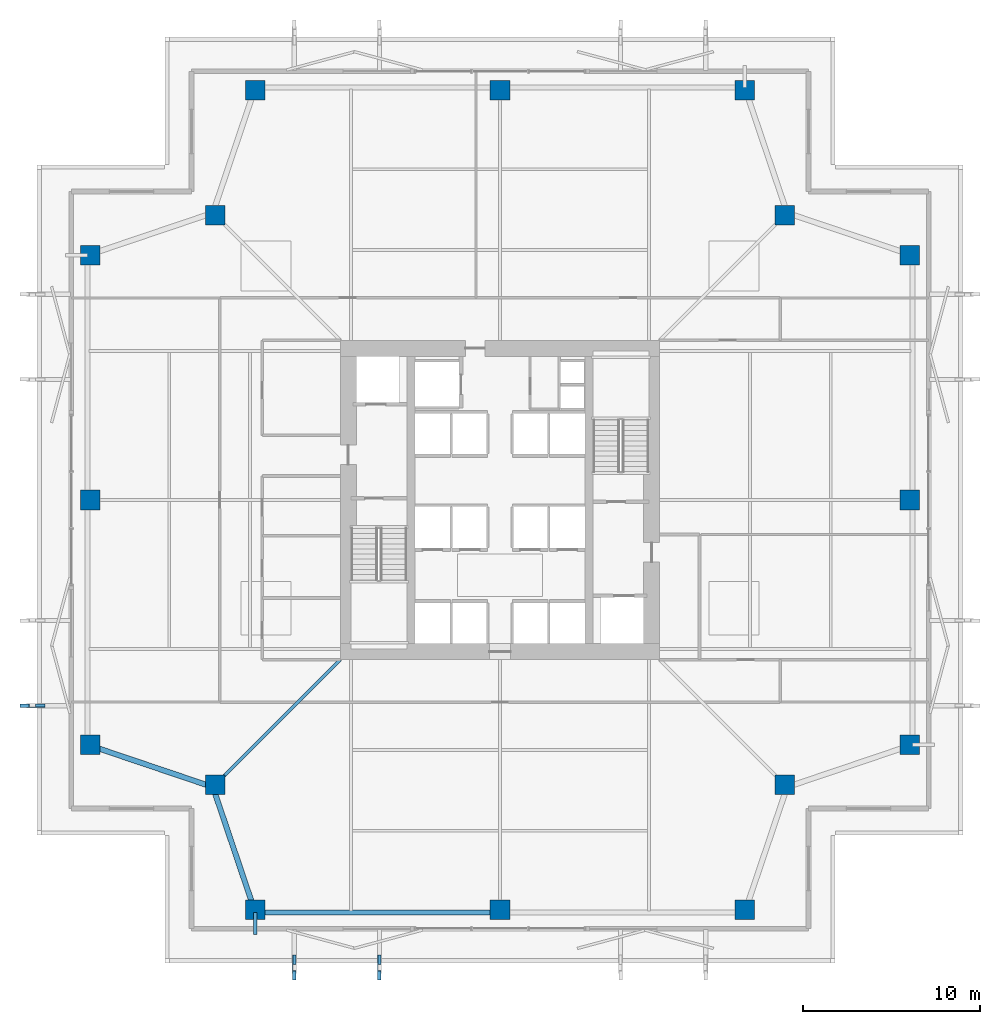
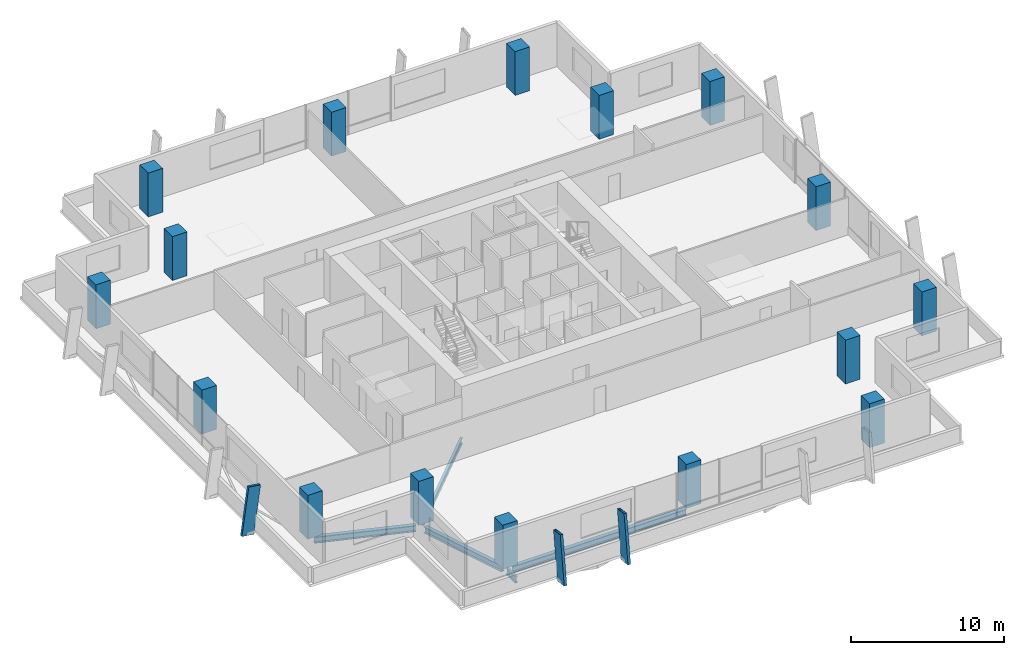
# One storey, part 1 of 16: 16 columns, 5 beams, 3 members.
"""IFC4 building model written with IfcOpenShell, lengths in metres."""

import ifcopenshell
import ifcopenshell.guid

model = None  # the IFC model being written
_history = None  # IfcOwnerHistory: only IFC2X3 demands one
_inside = {}  # id of a spatial element -> (the spatial element, [elements in it])
_under = {}  # id of a project, library or spatial element -> (it, [spatial elements below it])
_declared = {}  # id of a project -> (the project, [libraries it declares])
_typed = {}  # id of a type object -> (the type object, [elements of that type])
_made_of = {}  # id of a material, layer set ... -> (it, [elements and type objects made of it])


def new_model(schema):
    """Start an empty IFC model of exactly this schema.

    Asked for "IFC4X3", IfcOpenShell would pick the latest addendum, in which some entities
    have other attributes; the version numbers below select the first issue.
    IFC2X3 requires an IfcOwnerHistory on every rooted entity: one is made here for all.
    """
    global model, _history
    if schema == "IFC4X3":
        model = ifcopenshell.file(schema_version=(4, 3, 0, 0))
    else:
        model = ifcopenshell.file(schema=schema)
    _inside.clear()
    _under.clear()
    _declared.clear()
    _typed.clear()
    _made_of.clear()
    _history = None
    if model.schema == "IFC2X3":
        org = make("IfcOrganization", Name="unknown")
        user = make(
            "IfcPersonAndOrganization",
            ThePerson=make("IfcPerson", FamilyName="unknown"),
            TheOrganization=org,
        )
        app = make(
            "IfcApplication",
            ApplicationDeveloper=org,
            Version="unknown",
            ApplicationFullName="unknown",
            ApplicationIdentifier="unknown",
        )
        _history = make(
            "IfcOwnerHistory",
            OwningUser=user,
            OwningApplication=app,
            ChangeAction="ADDED",
            CreationDate=0,
        )
    return model


def make(cls, **values):
    """One entity of the class cls with the attributes given. An attribute that is None is left unset."""
    return model.create_entity(
        cls, **{name: value for name, value in values.items() if value is not None}
    )


def rooted(cls, **values):
    """An entity with a GlobalId (a new one), such as an element, a storey or a relation."""
    return make(cls, GlobalId=ifcopenshell.guid.new(), OwnerHistory=_history, **values)


def si_unit(unit_type, name, prefix=None):
    """IfcSIUnit, for example si_unit("LENGTHUNIT", "METRE", prefix="MILLI")."""
    return make("IfcSIUnit", UnitType=unit_type, Prefix=prefix, Name=name)


def assignment(units):
    """IfcUnitAssignment: the units of a project."""
    return None if units is None else make("IfcUnitAssignment", Units=units)


def point(xyz):
    """IfcCartesianPoint."""
    return None if xyz is None else make("IfcCartesianPoint", Coordinates=xyz)


def direction(xyz):
    """IfcDirection."""
    return None if xyz is None else make("IfcDirection", DirectionRatios=xyz)


def frame(location, z_axis=None, x_axis=None):
    """IfcAxis2Placement3D, a coordinate frame: its origin and axes. An axis left out is left unset."""
    return make(
        "IfcAxis2Placement3D",
        Location=point(location),
        Axis=direction(z_axis),
        RefDirection=direction(x_axis),
    )


def frame_2d(location, x_axis=None):
    """IfcAxis2Placement2D, a coordinate frame in the plane: its origin and x axis."""
    return make(
        "IfcAxis2Placement2D", Location=point(location), RefDirection=direction(x_axis)
    )


def origin():
    """The frame at (0, 0, 0) with its axes left unset."""
    return frame((0.0, 0.0, 0.0))


def origin_2d():
    """The frame at (0, 0) in the plane with its x axis left unset."""
    return frame_2d((0.0, 0.0))


def place(relative_to, where):
    """IfcLocalPlacement: puts the frame where relative to a parent placement (None: the world)."""
    return make(
        "IfcLocalPlacement", PlacementRelTo=relative_to, RelativePlacement=where
    )


def context(
    kind, dimensions, precision=None, world=None, true_north=None, identifier=None
):
    """IfcGeometricRepresentationContext, for example the 3D "Model" context."""
    return make(
        "IfcGeometricRepresentationContext",
        ContextIdentifier=identifier,
        ContextType=kind,
        CoordinateSpaceDimension=dimensions,
        Precision=precision,
        WorldCoordinateSystem=world,
        TrueNorth=true_north,
    )


def subcontext(parent, identifier, kind, view, scale=None):
    """IfcGeometricRepresentationSubContext, for example "Body" below "Model"."""
    return make(
        "IfcGeometricRepresentationSubContext",
        ContextIdentifier=identifier,
        ContextType=kind,
        ParentContext=parent,
        TargetScale=scale,
        TargetView=view,
    )


def project(units=None, contexts=None):
    """IfcProject with its units and contexts."""
    return rooted(
        "IfcProject",
        Name="project",
        RepresentationContexts=contexts,
        UnitsInContext=assignment(units),
    )


def spatial(cls, under=None, at=None, **own):
    """A site, building, storey or space (cls), placed at a placement, below another one or the project."""
    s = rooted(cls, ObjectPlacement=at, **own)
    if under is not None:
        _under.setdefault(under.id(), (under, []))[1].append(s)
    return s


def profile(cls, at=None, kind="AREA", **sizes):
    """A parametric profile (cls). Its sizes go by their IFC names, for example OverallWidth=200.0."""
    return make(cls, ProfileType=kind, Position=at, **sizes)


def rectangle(**sizes):
    """IfcRectangleProfileDef."""
    return profile("IfcRectangleProfileDef", **sizes)


def hollow_rectangle(**sizes):
    """IfcRectangleHollowProfileDef."""
    return profile("IfcRectangleHollowProfileDef", **sizes)


def i_section(**sizes):
    """IfcIShapeProfileDef."""
    return profile("IfcIShapeProfileDef", **sizes)


def extrude(swept, where, along, depth):
    """IfcExtrudedAreaSolid: the profile swept, set in the frame where, extruded along a direction by depth."""
    return make(
        "IfcExtrudedAreaSolid",
        SweptArea=swept,
        Position=where,
        ExtrudedDirection=direction(along),
        Depth=depth,
    )


def shape(context_of_items, identifier, shape_type, items):
    """IfcShapeRepresentation: the items that make up one representation, for example the "Body"."""
    return make(
        "IfcShapeRepresentation",
        ContextOfItems=context_of_items,
        RepresentationIdentifier=identifier,
        RepresentationType=shape_type,
        Items=items,
    )


def material(Name=None, Category=None):
    """IfcMaterial."""
    return make("IfcMaterial", Name=Name, Category=Category)


def material_profile(
    of_material, cross_section, Name=None, Category=None, Priority=None
):
    """IfcMaterialProfile: a cross section and its material."""
    return make(
        "IfcMaterialProfile",
        Name=Name,
        Material=of_material,
        Profile=cross_section,
        Priority=Priority,
        Category=Category,
    )


def profile_set(profiles, Name=None, composite=None):
    """IfcMaterialProfileSet."""
    return make(
        "IfcMaterialProfileSet",
        Name=Name,
        MaterialProfiles=profiles,
        CompositeProfile=composite,
    )


def made_of(thing, what):
    """Note that an element or type object is made of a material, layer set ...; save() writes the relation."""
    if what is not None:
        _made_of.setdefault(what.id(), (what, []))[1].append(thing)
    return thing


def type_object(cls, material=None, **own):
    """A type object (cls), such as IfcWallType, which elements share."""
    return made_of(rooted(cls, **own), material)


def element(
    cls,
    number,
    at=None,
    inside=None,
    cuts=None,
    type_object=None,
    material=None,
    context=None,
    identifier="Body",
    shape_type=None,
    held_by="IfcProductDefinitionShape",
    body=None,
    shapes=None,
    **own,
):
    """One element of the class cls, such as IfcWall. Its Tag is "e" and its number.

    at: its placement. inside: the storey or other place that contains it. cuts: it is an
    opening in that element (IfcRelVoidsElement). A single representation is given by context,
    identifier, shape_type and body (its items); several are given by shapes. held_by: the class
    of the entity that holds the representations. save() writes the other relations.
    """
    e = rooted(cls, Tag="e%d" % number, ObjectPlacement=at, **own)
    if body is not None:
        shapes = [shape(context, identifier, shape_type, body)]
    if shapes is not None:
        e.Representation = make(held_by, Representations=shapes)
    if inside is not None:
        _inside.setdefault(inside.id(), (inside, []))[1].append(e)
    if cuts is not None:
        rooted(
            "IfcRelVoidsElement", RelatingBuildingElement=cuts, RelatedOpeningElement=e
        )
    if type_object is not None:
        _typed.setdefault(type_object.id(), (type_object, []))[1].append(e)
    return made_of(e, material)


def aggregate(whole, parts):
    """IfcRelAggregates: a whole, such as a stair, and the parts it consists of."""
    return rooted("IfcRelAggregates", RelatingObject=whole, RelatedObjects=parts)


def save(model, path):
    """Write the relations noted so far, then the file.

    IfcRelAggregates (storeys below a building ...), IfcRelContainedInSpatialStructure (elements
    in a storey), IfcRelDefinesByType, IfcRelAssociatesMaterial and IfcRelDeclares: one each for
    every whole, place, type object, material and project.
    """
    for whole, parts in _under.values():
        aggregate(whole, parts)
    for where, things in _inside.values():
        rooted(
            "IfcRelContainedInSpatialStructure",
            RelatedElements=things,
            RelatingStructure=where,
        )
    for kind, things in _typed.values():
        rooted("IfcRelDefinesByType", RelatedObjects=things, RelatingType=kind)
    for what, things in _made_of.values():
        rooted("IfcRelAssociatesMaterial", RelatedObjects=things, RelatingMaterial=what)
    for by, libraries in _declared.values():
        rooted("IfcRelDeclares", RelatingContext=by, RelatedDefinitions=libraries)
    model.write(path)


model = new_model("IFC4")

# Units and contexts
model_context = context("Model", 3, precision=1e-05, world=origin(), true_north=direction((0.0, 1.0)))
body_context = subcontext(model_context, "Body", "Model", "MODEL_VIEW")
ifc_project = project(units=[si_unit("LENGTHUNIT", "METRE"), si_unit("AREAUNIT", "SQUARE_METRE"), si_unit("VOLUMEUNIT", "CUBIC_METRE"), si_unit("PLANEANGLEUNIT", "RADIAN"), si_unit("MASSUNIT", "GRAM", prefix="KILO")], contexts=[model_context])

# Site, building, storey
site_placement = place(None, origin())
site = spatial("IfcSite", under=ifc_project, at=site_placement, CompositionType="ELEMENT")
building_placement = place(site_placement, origin())
building = spatial("IfcBuilding", under=site, at=building_placement, Name="Belovzor Exchange Tower", CompositionType="ELEMENT")
storey_placement = place(building_placement, frame((0.0, 0.0, 138.300048828125)))
storey = spatial("IfcBuildingStorey", under=building, at=storey_placement, Name="L33", CompositionType="ELEMENT", Elevation=138.300048828125)

# Columns
ifc_material_1 = material(Name="Concrete C50/60", Category="concrete")
ifc_material_profile_1 = material_profile(ifc_material_1, rectangle(XDim=1.10009765625, YDim=1.10009765625, at=origin_2d()))
ifc_profile_set_1 = profile_set([ifc_material_profile_1], Name="Concrete C50/60")
column_type = type_object("IfcColumnType", Name="Reinforced Concrete Tower Column 1100x1100", PredefinedType="COLUMN", material=ifc_profile_set_1)
for number, where, z_axis, x_axis, name in (
    (1, (15.0, 5.699951171875, 0.0029296875), (0.0, 0.0, 1.0), (1.0, 0.0, 0.0), "COL-T110 Reinforced Concrete Tower Column 1100x1100"),
    (2, (28.800048828125, 5.699951171875, 0.0029296875), (0.0, 0.0, 1.0), (1.0, 0.0, 0.0), "COL-T110 Reinforced Concrete Tower Column 1100x1100"),
    (3, (42.60009765625, 5.699951171875, 0.0029296875), (0.0, 0.0, 1.0), (1.0, 0.0, 0.0), "COL-T110 Reinforced Concrete Tower Column 1100x1100"),
    (4, (51.89990234375, 15.0, 0.0029296875), (0.0, 0.0, 1.0), (1.0, 0.0, 0.0), "COL-T110 Reinforced Concrete Tower Column 1100x1100"),
    (5, (51.89990234375, 28.800048828125, 0.0029296875), (0.0, 0.0, 1.0), (1.0, 0.0, 0.0), "COL-T110 Reinforced Concrete Tower Column 1100x1100"),
    (6, (51.89990234375, 42.60009765625, 0.0029296875), (0.0, 0.0, 1.0), (1.0, 0.0, 0.0), "COL-T110 Reinforced Concrete Tower Column 1100x1100"),
    (7, (42.60009765625, 51.89990234375, 0.0029296875), (0.0, 0.0, 1.0), (1.0, 0.0, 0.0), "COL-T110 Reinforced Concrete Tower Column 1100x1100"),
    (8, (28.800048828125, 51.89990234375, 0.0029296875), (0.0, 0.0, 1.0), (1.0, 0.0, 0.0), "COL-T110 Reinforced Concrete Tower Column 1100x1100"),
    (9, (15.0, 51.89990234375, 0.0029296875), (0.0, 0.0, 1.0), (1.0, 0.0, 0.0), "COL-T110 Reinforced Concrete Tower Column 1100x1100"),
    (10, (5.699951171875, 42.60009765625, 0.0029296875), (0.0, 0.0, 1.0), (1.0, 0.0, 0.0), "COL-T110 Reinforced Concrete Tower Column 1100x1100"),
    (11, (5.699951171875, 28.800048828125, 0.0029296875), (0.0, 0.0, 1.0), (1.0, 0.0, 0.0), "COL-T110 Reinforced Concrete Tower Column 1100x1100"),
    (12, (5.699951171875, 15.0, 0.0029296875), (0.0, 0.0, 1.0), (1.0, 0.0, 0.0), "COL-T110 Reinforced Concrete Tower Column 1100x1100"),
    (13, (12.75, 12.75, 0.0029296875), (0.0, 0.0, 1.0), (1.0, 0.0, 0.0), "COL-T110 Reinforced Concrete Tower Column 1100x1100"),
    (14, (44.85009765625, 12.75, 0.0029296875), (0.0, 0.0, 1.0), (1.0, 0.0, 0.0), "COL-T110 Reinforced Concrete Tower Column 1100x1100"),
    (15, (44.85009765625, 44.85009765625, 0.0029296875), (0.0, 0.0, 1.0), (1.0, 0.0, 0.0), "COL-T110 Reinforced Concrete Tower Column 1100x1100"),
    (16, (12.75, 44.85009765625, 0.0029296875), (0.0, 0.0, 1.0), (1.0, 0.0, 0.0), "COL-T110 Reinforced Concrete Tower Column 1100x1100"),
):
    element("IfcColumn", number, at=place(storey_placement, frame(where, z_axis=z_axis, x_axis=x_axis)), inside=storey, type_object=column_type, Name=name, PredefinedType="COLUMN", context=body_context, shape_type="SweptSolid", body=[
        extrude(rectangle(XDim=1.10009765625, YDim=1.10009765625, at=origin_2d()), origin(), (0.0, 0.0, 1.0), 3.489013671875),
    ])

# Beam
ifc_material_2 = material(Name="Steel S355", Category="steel")
ifc_material_profile_2 = material_profile(ifc_material_2, i_section(OverallWidth=0.199951171875, OverallDepth=0.5, WebThickness=0.01025390625, FlangeThickness=0.01611328125, at=origin_2d()))
ifc_profile_set_2 = profile_set([ifc_material_profile_2], Name="Steel S355")
beam_type_1 = type_object("IfcBeamType", Name="Planted Balcony Cantilever Beam IPE 500", PredefinedType="BEAM", material=ifc_profile_set_2)
beam_1_placement = place(storey_placement, frame((15.0, 5.531982421875, -0.505126953125), z_axis=(0.0, -1.0, 0.0), x_axis=(1.0, 0.0, 0.0)))
element("IfcBeam", 17, at=beam_1_placement, inside=storey, type_object=beam_type_1, Name="BC-500 Planted Balcony Cantilever Beam IPE 500", PredefinedType="BEAM", context=body_context, shape_type="SweptSolid", body=[
    extrude(i_section(OverallWidth=0.199951171875, OverallDepth=0.5, WebThickness=0.01025390625, FlangeThickness=0.01611328125, at=origin_2d()), origin(), (0.0, 0.0, 1.0), 1.23193359375),
])

# Members
ifc_material_3 = material(Name="Extruded Architectural Terracotta on Steel S355 Carrier", Category="masonry")
ifc_material_profile_3 = material_profile(ifc_material_3, hollow_rectangle(XDim=0.199951171875, YDim=0.89990234375, WallThickness=0.011962890625, at=origin_2d()))
ifc_profile_set_3 = profile_set([ifc_material_profile_3], Name="Extruded Architectural Terracotta on Steel S355 Carrier")
member_type = type_object("IfcMemberType", Name="Sweeping Terracotta Baguette Fin Assembly 1250", PredefinedType="USERDEFINED", material=ifc_profile_set_3)
for number, where, z_axis, x_axis, name in (
    (18, (17.199951171875, 2.175048828125, -0.255126953125), (0.0, 0.136851262382, 0.990591607063), (-1.0, 0.0, 0.0), "FIN-TC125 Terracotta Facade Fin L33 S1"),
    (19, (2.175048828125, 17.199951171875, -0.255126953125), (0.136851262382, 0.0, 0.990591607063), (0.0, 1.0, 0.0), "FIN-TC125 Terracotta Facade Fin L33 W1"),
    (20, (22.0, 2.175048828125, -0.255126953125), (0.0, 0.136851262382, 0.990591607063), (-1.0, 0.0, 0.0), "FIN-TC125 Terracotta Facade Fin L33 S2"),
):
    element("IfcMember", number, at=place(storey_placement, frame(where, z_axis=z_axis, x_axis=x_axis)), inside=storey, type_object=member_type, Name=name, ObjectType="FIN", PredefinedType="USERDEFINED", context=body_context, shape_type="SweptSolid", body=[
        extrude(hollow_rectangle(XDim=0.199951171875, YDim=0.89990234375, WallThickness=0.011962890625, at=origin_2d()), origin(), (0.0, 0.0, 1.0), 3.78564453125),
    ])

# Beams
ifc_material_4 = material(Name="Steel S355", Category="steel")
ifc_material_profile_4 = material_profile(ifc_material_4, i_section(OverallWidth=0.18994140625, OverallDepth=0.449951171875, WebThickness=0.009521484375, FlangeThickness=0.0146484375, at=origin_2d()))
ifc_profile_set_4 = profile_set([ifc_material_profile_4], Name="Steel S355")
beam_type_2 = type_object("IfcBeamType", Name="Zone 2-4 Radial Composite Floor Beam IPE 450", PredefinedType="BEAM", material=ifc_profile_set_4)
beam_2_placement = place(storey_placement, frame((19.800048828125, 19.800048828125, -0.47998046875), z_axis=(-0.707106781187, -0.707106781187, 0.0), x_axis=(0.707106781187, -0.707106781187, 0.0)))
element("IfcBeam", 21, at=beam_2_placement, inside=storey, type_object=beam_type_2, Name="FB-450 Zone 2-4 Radial Composite Floor Beam IPE 450", PredefinedType="BEAM", context=body_context, shape_type="SweptSolid", body=[
    extrude(i_section(OverallWidth=0.18994140625, OverallDepth=0.449951171875, WebThickness=0.009521484375, FlangeThickness=0.0146484375, at=origin_2d()), origin(), (0.0, 0.0, 1.0), 9.70849609375),
])
ifc_material_5 = material(Name="Steel S355", Category="steel")
ifc_material_profile_5 = material_profile(ifc_material_5, i_section(OverallWidth=0.300048828125, OverallDepth=0.5, WebThickness=0.014404296875, FlangeThickness=0.028076171875, at=origin_2d()))
ifc_profile_set_5 = profile_set([ifc_material_profile_5], Name="Steel S355")
beam_type_3 = type_object("IfcBeamType", Name="Zone 3 Waist Primary Girder HEB 500", PredefinedType="BEAM", material=ifc_profile_set_5)
beam_3_placement = place(storey_placement, frame((12.72412109375, 12.27099609375, -0.505126953125), z_axis=(0.320030896721, -0.94740710634, 0.0), x_axis=(0.94740710634, 0.320030896721, 0.0)))
element("IfcBeam", 22, at=beam_3_placement, inside=storey, type_object=beam_type_3, Name="FG-Z3 Zone 3 Waist Primary Girder HEB 500", PredefinedType="BEAM", context=body_context, shape_type="SweptSolid", body=[
    extrude(i_section(OverallWidth=0.300048828125, OverallDepth=0.5, WebThickness=0.014404296875, FlangeThickness=0.028076171875, at=origin_2d()), origin(), (0.0, 0.0, 1.0), 6.755126953125),
])
beam_4_placement = place(storey_placement, frame((15.35693359375, 5.531982421875, -0.505126953125), z_axis=(1.0, 0.0, 0.0), x_axis=(0.0, 1.0, 0.0)))
element("IfcBeam", 23, at=beam_4_placement, inside=storey, type_object=beam_type_3, Name="FG-Z3 Zone 3 Waist Primary Girder HEB 500", PredefinedType="BEAM", context=body_context, shape_type="SweptSolid", body=[
    extrude(i_section(OverallWidth=0.300048828125, OverallDepth=0.5, WebThickness=0.014404296875, FlangeThickness=0.028076171875, at=origin_2d()), origin(), (0.0, 0.0, 1.0), 13.0849609375),
])
beam_5_placement = place(storey_placement, frame((5.87109375, 14.885986328125, -0.505126953125), z_axis=(0.94740710634, -0.320030896721, 0.0), x_axis=(0.320030896721, 0.94740710634, 0.0)))
element("IfcBeam", 24, at=beam_5_placement, inside=storey, type_object=beam_type_3, Name="FG-Z3 Zone 3 Waist Primary Girder HEB 500", PredefinedType="BEAM", context=body_context, shape_type="SweptSolid", body=[
    extrude(i_section(OverallWidth=0.300048828125, OverallDepth=0.5, WebThickness=0.014404296875, FlangeThickness=0.028076171875, at=origin_2d()), origin(), (0.0, 0.0, 1.0), 6.755126953125),
])

save(model, "model.ifc")
